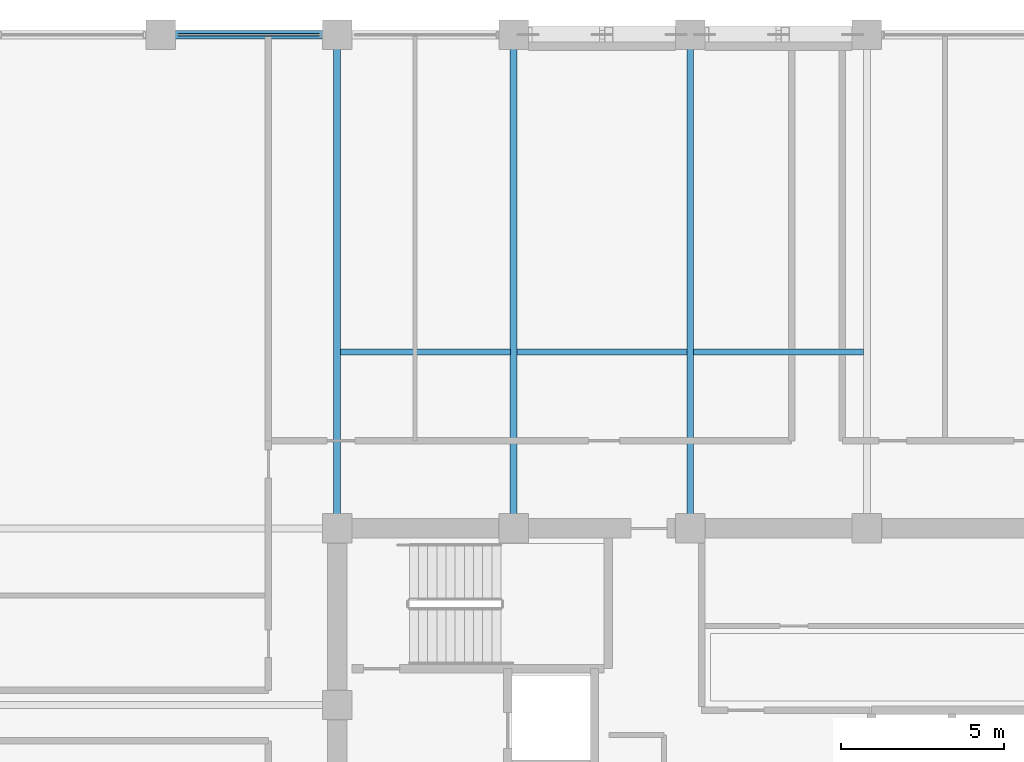
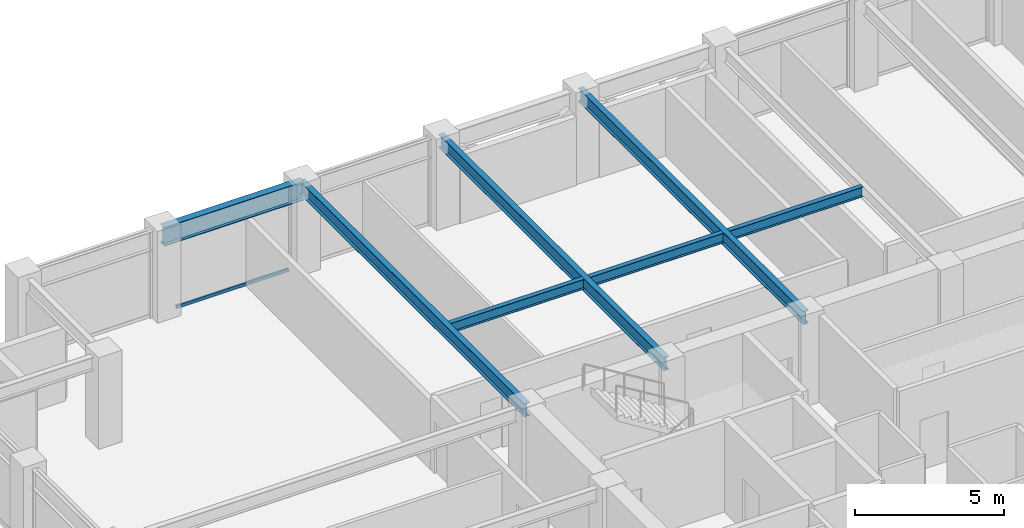
# One storey, part 19 of 31: 7 beams, 1 member, 1 element without a shape of its own.
"""IFC4 building model written with IfcOpenShell, lengths in metres."""

from ifc_helpers import new_model, si_unit, direction, frame, origin, origin_2d, place, context, subcontext, project, spatial, hollow_rectangle, i_section, extrude, material, layer, layer_set, material_profile, profile_set, type_object, element, aggregate, save


model = new_model("IFC4")

# Units and contexts
model_context = context("Model", 3, precision=1e-05, world=origin(), true_north=direction((0.0, 1.0)))
body_context = subcontext(model_context, "Body", "Model", "MODEL_VIEW")
ifc_project = project(units=[si_unit("LENGTHUNIT", "METRE"), si_unit("AREAUNIT", "SQUARE_METRE"), si_unit("VOLUMEUNIT", "CUBIC_METRE"), si_unit("PLANEANGLEUNIT", "RADIAN"), si_unit("MASSUNIT", "GRAM", prefix="KILO")], contexts=[model_context])

# Site, building, storey
site_placement = place(None, origin())
site = spatial("IfcSite", under=ifc_project, at=site_placement, CompositionType="ELEMENT")
building_placement = place(site_placement, origin())
building = spatial("IfcBuilding", under=site, at=building_placement, Name="Surkhivell Harbour Commons", CompositionType="ELEMENT")
storey_placement = place(building_placement, frame((0.0, 0.0, 193.5)))
storey = spatial("IfcBuildingStorey", under=building, at=storey_placement, Name="L50", CompositionType="ELEMENT", Elevation=193.5)

# Beams
ifc_material_1 = material(Name="Steel S355", Category="steel")
ifc_material_profile_1 = material_profile(ifc_material_1, i_section(OverallWidth=0.2119140625, OverallDepth=0.5439453125, WebThickness=0.0126953125, FlangeThickness=0.021240234375, at=origin_2d()), Name="UB533x210x122")
ifc_profile_set_1 = profile_set([ifc_material_profile_1], Name="Steel S355")
beam_type_1 = type_object("IfcBeamType", Name="BM-GRD-533A", PredefinedType="BEAM", material=ifc_profile_set_1)
for number, where, z_axis, x_axis, name in (
    (1, (-10.800048828125, 10.800048828125, 3.298095703125), (0.0, 1.0, 0.0), (-1.0, 0.0, 0.0), "L50 Floor Girder (-10.8,10.8)"),
    (2, (-5.39990234375, 10.800048828125, 3.298095703125), (0.0, 1.0, 0.0), (-1.0, 0.0, 0.0), "L50 Floor Girder (-5.4,10.8)"),
    (3, (0.0, 10.800048828125, 3.298095703125), (0.0, 1.0, 0.0), (-1.0, 0.0, 0.0), "L50 Floor Girder (0.0,10.8)"),
):
    element("IfcBeam", number, at=place(storey_placement, frame(where, z_axis=z_axis, x_axis=x_axis)), inside=storey, type_object=beam_type_1, Name=name, PredefinedType="BEAM", context=body_context, shape_type="SweptSolid", body=[
        extrude(i_section(OverallWidth=0.2119140625, OverallDepth=0.5439453125, WebThickness=0.0126953125, FlangeThickness=0.021240234375, at=origin_2d()), origin(), (0.0, 0.0, 1.0), 15.099853515625),
    ])
ifc_material_profile_2 = material_profile(ifc_material_1, i_section(OverallWidth=0.178955078125, OverallDepth=0.408935546875, WebThickness=0.0087890625, FlangeThickness=0.014404296875, at=origin_2d()), Name="UB406x178x67")
ifc_profile_set_2 = profile_set([ifc_material_profile_2], Name="Steel S355")
beam_type_2 = type_object("IfcBeamType", Name="BM-JST-406", PredefinedType="JOIST", material=ifc_profile_set_2)
beam_1_placement = place(storey_placement, frame((-10.696044921875, 16.199951171875, 3.365478515625), z_axis=(1.0, 0.0, 0.0), x_axis=(0.0, 1.0, 0.0)))
element("IfcBeam", 4, at=beam_1_placement, inside=storey, type_object=beam_type_2, Name="L50 North Composite Joist (-10.8)", PredefinedType="JOIST", context=body_context, shape_type="SweptSolid", body=[
    extrude(i_section(OverallWidth=0.178955078125, OverallDepth=0.408935546875, WebThickness=0.0087890625, FlangeThickness=0.014404296875, at=origin_2d()), origin(), (0.0, 0.0, 1.0), 5.192138671875),
])
for number, where, z_axis, x_axis, name in (
    (5, (-5.2958984375, 16.199951171875, 3.365478515625), (1.0, 0.0, 0.0), (0.0, 1.0, 0.0), "L50 North Composite Joist (-5.4)"),
    (6, (0.10400390625, 16.199951171875, 3.365478515625), (1.0, 0.0, 0.0), (0.0, 1.0, 0.0), "L50 North Composite Joist (0.0)"),
):
    element("IfcBeam", number, at=place(storey_placement, frame(where, z_axis=z_axis, x_axis=x_axis)), inside=storey, type_object=beam_type_2, Name=name, PredefinedType="JOIST", context=body_context, shape_type="SweptSolid", body=[
        extrude(i_section(OverallWidth=0.178955078125, OverallDepth=0.408935546875, WebThickness=0.0087890625, FlangeThickness=0.014404296875, at=origin_2d()), origin(), (0.0, 0.0, 1.0), 5.19189453125),
    ])
ifc_material_profile_3 = material_profile(ifc_material_1, i_section(OverallWidth=0.26806640625, OverallDepth=0.77001953125, WebThickness=0.015625, FlangeThickness=0.025390625, at=origin_2d()), Name="UB762x267x197")
ifc_profile_set_3 = profile_set([ifc_material_profile_3], Name="Steel S355")
beam_type_3 = type_object("IfcBeamType", Name="BM-SPN-762", PredefinedType="SPANDREL", material=ifc_profile_set_3)
beam_2_placement = place(storey_placement, frame((-16.199951171875, 25.89990234375, 3.18505859375), z_axis=(1.0, 0.0, 0.0), x_axis=(0.0, 1.0, 0.0)))
element("IfcBeam", 7, at=beam_2_placement, inside=storey, type_object=beam_type_3, Name="L50 Tube Spandrel (-16.2,25.9)", PredefinedType="SPANDREL", context=body_context, shape_type="SweptSolid", body=[
    extrude(i_section(OverallWidth=0.26806640625, OverallDepth=0.77001953125, WebThickness=0.015625, FlangeThickness=0.025390625, at=origin_2d()), origin(), (0.0, 0.0, 1.0), 5.39990234375),
])

# Curtain wall, member
ifc_material_2 = material(Name="Anodised pale-metal aluminium and insulated glazing", Category="aluminium")
ifc_layer = layer(ifc_material_2, 0.18994140625)
ifc_layer_set = layer_set([ifc_layer], Name="Anodised pale-metal aluminium and insulated glazing")
curtain_wall_type = type_object("IfcCurtainWallType", Name="CW-SYS-Z3", PredefinedType="NOTDEFINED", material=ifc_layer_set)
curtain_wall_placement = place(storey_placement, origin())
curtain_wall = element("IfcCurtainWall", 8, at=curtain_wall_placement, inside=storey, type_object=curtain_wall_type, Name="L50 Curtain Wall CW-L50-E07S2", PredefinedType="NOTDEFINED")
ifc_material_3 = material(Name="Champagne anodised aluminium alloy 6063-T6", Category="aluminium")
ifc_material_profile_4 = material_profile(ifc_material_3, hollow_rectangle(XDim=0.070068359375, YDim=0.1298828125, WallThickness=0.00341796875, at=origin_2d()), Name="ALU-TRAN-70x130")
ifc_profile_set_4 = profile_set([ifc_material_profile_4], Name="Champagne anodised aluminium alloy 6063-T6")
member_type = type_object("IfcMemberType", Name="CWT-130", PredefinedType="USERDEFINED", material=ifc_profile_set_4)
member_placement = place(storey_placement, frame((-11.326904296875, 25.89990234375, 0.06494140625), z_axis=(-1.0, 0.0, 0.0), x_axis=(0.0, -1.0, 0.0)))
member = element("IfcMember", 9, at=member_placement, type_object=member_type, Name="CW-Z3 transom 2.1", ObjectType="TRANSOM", PredefinedType="USERDEFINED", context=body_context, shape_type="SweptSolid", body=[
    extrude(hollow_rectangle(XDim=0.070068359375, YDim=0.1298828125, WallThickness=0.00341796875, at=origin_2d()), origin(), (0.0, 0.0, 1.0), 4.34619140625),
])
aggregate(curtain_wall, [member])

save(model, "model.ifc")
